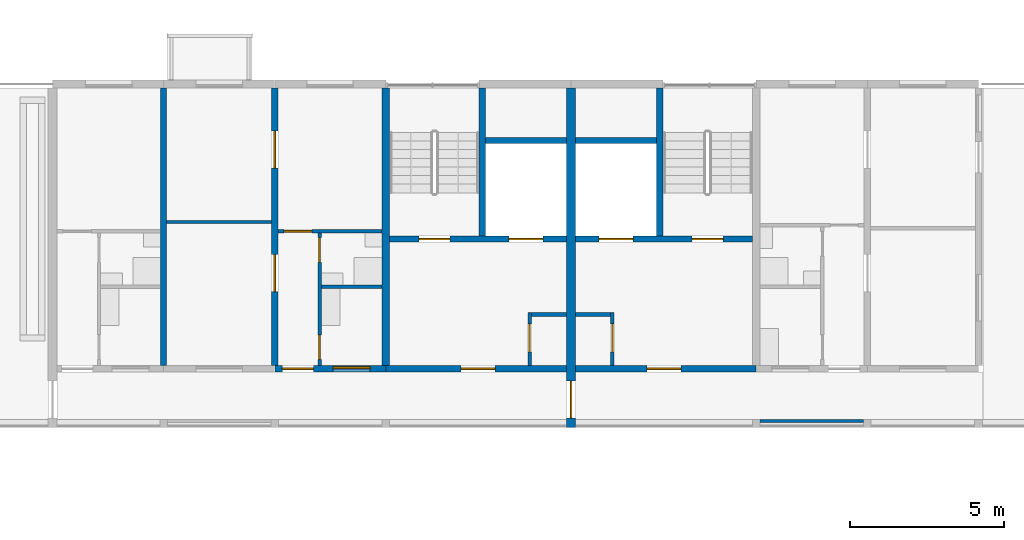
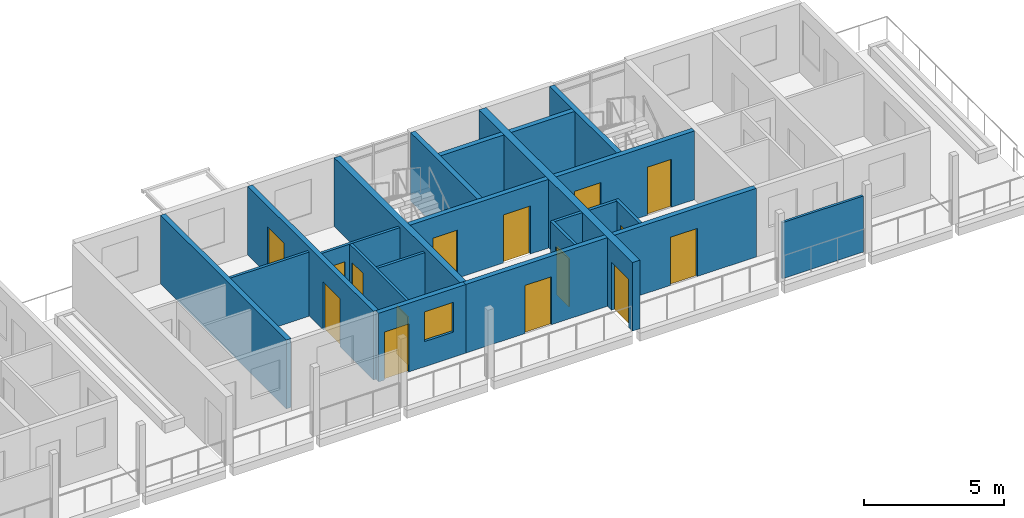
# One storey, part 55 of 94: 22 walls, 15 doors, 1 window, 16 openings.
"""IFC4 building model written with IfcOpenShell, lengths in metres."""

from ifc_helpers import new_model, si_unit, direction, frame, frame_2d, origin, place, context, subcontext, project, spatial, rectangle, extrude, material, layer, layer_set, type_object, element, fill, save


model = new_model("IFC4")

# Units and contexts
model_context = context("Model", 3, precision=1e-05, world=origin(), true_north=direction((0.0, 1.0)))
body_context = subcontext(model_context, "Body", "Model", "MODEL_VIEW")
ifc_project = project(units=[si_unit("LENGTHUNIT", "METRE"), si_unit("AREAUNIT", "SQUARE_METRE"), si_unit("VOLUMEUNIT", "CUBIC_METRE"), si_unit("PLANEANGLEUNIT", "RADIAN"), si_unit("MASSUNIT", "GRAM", prefix="KILO")], contexts=[model_context])

# Site, building, storey
site_placement = place(None, origin())
site = spatial("IfcSite", under=ifc_project, at=site_placement, CompositionType="ELEMENT")
building_placement = place(site_placement, origin())
building = spatial("IfcBuilding", under=site, at=building_placement, Name="Ridgestep Commons", CompositionType="ELEMENT")
storey_placement = place(building_placement, frame((0.0, 0.0, 21.0)))
storey = spatial("IfcBuildingStorey", under=building, at=storey_placement, Name="L07", CompositionType="ELEMENT", Elevation=21.0)

# Wall
ifc_material_1 = material(Name="Concrete C30/37", Category="concrete")
ifc_layer_1 = layer(ifc_material_1, 0.25)
ifc_layer_set_1 = layer_set([ifc_layer_1], Name="Core cross wall 250")
wall_type_1 = type_object("IfcWallType", Name="Core cross wall 250", PredefinedType="SHEAR", material=ifc_layer_set_1)
wall_1_placement = place(storey_placement, frame((224.800048828125, 68.0, 0.0), z_axis=(0.0, 0.0, 1.0), x_axis=(0.0, 1.0, 0.0)))
element("IfcWall", 1, at=wall_1_placement, inside=storey, type_object=wall_type_1, Name="Cross wall C-07-2248", PredefinedType="SHEAR", context=body_context, shape_type="SweptSolid", body=[
    extrude(rectangle(XDim=9.0, YDim=0.25, at=frame_2d((4.5, 0.0))), origin(), (0.0, 0.0, 1.0), 3.0),
])

# Wall, opening, door
ifc_material_2 = material(Name="Concrete C30/37", Category="concrete")
ifc_layer_2 = layer(ifc_material_2, 0.199951171875)
ifc_layer_set_2 = layer_set([ifc_layer_2], Name="Core south wall 200")
wall_type_2 = type_object("IfcWallType", Name="Core south wall 200", PredefinedType="SHEAR", material=ifc_layer_set_2)
wall_2_placement = place(storey_placement, frame((224.800048828125, 67.89990234375, 0.0), z_axis=(0.0, 0.0, 1.0), x_axis=(1.0, 0.0, 0.0)))
wall_2 = element("IfcWall", 2, at=wall_2_placement, inside=storey, type_object=wall_type_2, Name="Core south wall C5C L07", PredefinedType="SHEAR", context=body_context, shape_type="SweptSolid", body=[
    extrude(rectangle(XDim=5.849853515625, YDim=0.199951171875, at=frame_2d((2.9248046875, 0.0))), origin(), (0.0, 0.0, 1.0), 3.0),
])
opening_1_placement = place(wall_2_placement, frame((2.4375, 0.0, 0.0)))
opening_1 = element("IfcOpeningElement", 3, at=opening_1_placement, cuts=wall_2, Name="Opening C5C/07/1", PredefinedType="OPENING", context=body_context, shape_type="SweptSolid", body=[
    extrude(rectangle(XDim=1.10009765625, YDim=2.10009765625, at=frame_2d((0.550048828125, 1.050048828125))), frame((0.0, 0.10986328125, 0.0), z_axis=(0.0, -1.0, 0.0), x_axis=(1.0, 0.0, 0.0)), (0.0, 0.0, 1.0), 0.219970703125),
])
ifc_material_3 = material(Name="Steel fire door", Category="steel")
door_type_1 = type_object("IfcDoorType", Name="Lobby door 1100 x 2100 FD60", OperationType="NOTDEFINED", PredefinedType="DOOR", material=ifc_material_3)
door_1_placement = place(opening_1_placement, origin())
door_1 = element("IfcDoor", 4, at=door_1_placement, inside=storey, type_object=door_type_1, Name="Lobby door C5C/07/1", OperationType="SINGLE_SWING_LEFT", OverallHeight=2.10009765625, OverallWidth=1.10009765625, PredefinedType="DOOR", context=body_context, shape_type="SweptSolid", body=[
    extrude(rectangle(XDim=1.10009765625, YDim=2.10009765625, at=frame_2d((0.550048828125, 1.050048828125))), frame((0.0, 0.02490234375, 0.0), z_axis=(0.0, -1.0, 0.0), x_axis=(1.0, 0.0, 0.0)), (0.0, 0.0, 1.0), 0.050048828125),
])
fill(opening_1, door_1)

wall_3_placement = place(storey_placement, frame((230.949951171875, 67.89990234375, 0.0), z_axis=(0.0, 0.0, 1.0), x_axis=(1.0, 0.0, 0.0)))
wall_3 = element("IfcWall", 5, at=wall_3_placement, inside=storey, type_object=wall_type_2, Name="Core south wall C6C L07", PredefinedType="SHEAR", context=body_context, shape_type="SweptSolid", body=[
    extrude(rectangle(XDim=5.85009765625, YDim=0.199951171875, at=frame_2d((2.925048828125, 0.0))), origin(), (0.0, 0.0, 1.0), 3.0),
])
opening_2_placement = place(wall_3_placement, frame((2.3125, 0.0, 0.0)))
opening_2 = element("IfcOpeningElement", 6, at=opening_2_placement, cuts=wall_3, Name="Opening C6C/07/1", PredefinedType="OPENING", context=body_context, shape_type="SweptSolid", body=[
    extrude(rectangle(XDim=1.10009765625, YDim=2.10009765625, at=frame_2d((0.550048828125, 1.050048828125))), frame((0.0, 0.10986328125, 0.0), z_axis=(0.0, -1.0, 0.0), x_axis=(1.0, 0.0, 0.0)), (0.0, 0.0, 1.0), 0.219970703125),
])
door_2_placement = place(opening_2_placement, origin())
door_2 = element("IfcDoor", 7, at=door_2_placement, inside=storey, type_object=door_type_1, Name="Lobby door C6C/07/1", OperationType="SINGLE_SWING_LEFT", OverallHeight=2.10009765625, OverallWidth=1.10009765625, PredefinedType="DOOR", context=body_context, shape_type="SweptSolid", body=[
    extrude(rectangle(XDim=1.10009765625, YDim=2.10009765625, at=frame_2d((0.550048828125, 1.050048828125))), frame((0.0, 0.02490234375, 0.0), z_axis=(0.0, -1.0, 0.0), x_axis=(1.0, 0.0, 0.0)), (0.0, 0.0, 1.0), 0.050048828125),
])
fill(opening_2, door_2)

ifc_material_4 = material(Name="Concrete C30/37", Category="concrete")
ifc_layer_3 = layer(ifc_material_4, 0.1201171875)
ifc_layer_set_3 = layer_set([ifc_layer_3], Name="Core wall 120")
wall_type_3 = type_object("IfcWallType", Name="Core wall 120", PredefinedType="SHEAR", material=ifc_layer_set_3)
wall_4_placement = place(storey_placement, frame((229.4599609375, 68.0, 0.0), z_axis=(0.0, 0.0, 1.0), x_axis=(0.0, 1.0, 0.0)))
wall_4 = element("IfcWall", 8, at=wall_4_placement, inside=storey, type_object=wall_type_3, Name="Core riser w wall C5C L07", PredefinedType="SHEAR", context=body_context, shape_type="SweptSolid", body=[
    extrude(rectangle(XDim=1.719970703125, YDim=0.1201171875, at=frame_2d((0.85986328125, 0.0))), origin(), (0.0, 0.0, 1.0), 3.0),
])
opening_3_placement = place(wall_4_placement, frame((0.449951171875, 0.0, 0.0)))
opening_3 = element("IfcOpeningElement", 9, at=opening_3_placement, cuts=wall_4, Name="Opening C5C/07/4", PredefinedType="OPENING", context=body_context, shape_type="SweptSolid", body=[
    extrude(rectangle(XDim=0.89990234375, YDim=2.10009765625, at=frame_2d((0.449951171875, 1.050048828125))), frame((0.0, 0.070068359375, 0.0), z_axis=(0.0, -1.0, 0.0), x_axis=(1.0, 0.0, 0.0)), (0.0, 0.0, 1.0), 0.14013671875),
])
ifc_material_5 = material(Name="Steel fire door", Category="steel")
door_type_2 = type_object("IfcDoorType", Name="Riser door 900 x 2100 FD60", OperationType="NOTDEFINED", PredefinedType="DOOR", material=ifc_material_5)
door_3_placement = place(opening_3_placement, origin())
door_3 = element("IfcDoor", 10, at=door_3_placement, inside=storey, type_object=door_type_2, Name="Riser door C5C/07/4", OperationType="SINGLE_SWING_LEFT", OverallHeight=2.10009765625, OverallWidth=0.89990234375, PredefinedType="DOOR", context=body_context, shape_type="SweptSolid", body=[
    extrude(rectangle(XDim=0.89990234375, YDim=2.10009765625, at=frame_2d((0.449951171875, 1.050048828125))), frame((0.0, 0.02490234375, 0.0), z_axis=(0.0, -1.0, 0.0), x_axis=(1.0, 0.0, 0.0)), (0.0, 0.0, 1.0), 0.050048828125),
])
fill(opening_3, door_3)

# Wall
wall_5_placement = place(storey_placement, frame((229.52001953125, 69.659912109375, 0.0), z_axis=(0.0, 0.0, 1.0), x_axis=(1.0, 0.0, 0.0)))
element("IfcWall", 11, at=wall_5_placement, inside=storey, type_object=wall_type_3, Name="Core riser n wall C5C L07", PredefinedType="SHEAR", context=body_context, shape_type="SweptSolid", body=[
    extrude(rectangle(XDim=1.1298828125, YDim=0.1201171875, at=frame_2d((0.56494140625, 0.0))), origin(), (0.0, 0.0, 1.0), 3.0),
])

# Wall, opening, door
wall_6_placement = place(storey_placement, frame((232.139892578125, 68.0, 0.0), z_axis=(0.0, 0.0, 1.0), x_axis=(0.0, 1.0, 0.0)))
wall_6 = element("IfcWall", 12, at=wall_6_placement, inside=storey, type_object=wall_type_3, Name="Core riser w wall C6C L07", PredefinedType="SHEAR", context=body_context, shape_type="SweptSolid", body=[
    extrude(rectangle(XDim=1.719970703125, YDim=0.1201171875, at=frame_2d((0.85986328125, 0.0))), origin(), (0.0, 0.0, 1.0), 3.0),
])
opening_4_placement = place(wall_6_placement, frame((0.449951171875, 0.0, 0.0)))
opening_4 = element("IfcOpeningElement", 13, at=opening_4_placement, cuts=wall_6, Name="Opening C6C/07/4", PredefinedType="OPENING", context=body_context, shape_type="SweptSolid", body=[
    extrude(rectangle(XDim=0.89990234375, YDim=2.10009765625, at=frame_2d((0.449951171875, 1.050048828125))), frame((0.0, 0.070068359375, 0.0), z_axis=(0.0, -1.0, 0.0), x_axis=(1.0, 0.0, 0.0)), (0.0, 0.0, 1.0), 0.14013671875),
])
door_4_placement = place(opening_4_placement, origin())
door_4 = element("IfcDoor", 14, at=door_4_placement, inside=storey, type_object=door_type_2, Name="Riser door C6C/07/4", OperationType="SINGLE_SWING_RIGHT", OverallHeight=2.10009765625, OverallWidth=0.89990234375, PredefinedType="DOOR", context=body_context, shape_type="SweptSolid", body=[
    extrude(rectangle(XDim=0.89990234375, YDim=2.10009765625, at=frame_2d((0.449951171875, 1.050048828125))), frame((0.0, 0.02490234375, 0.0), z_axis=(0.0, -1.0, 0.0), x_axis=(1.0, 0.0, 0.0)), (0.0, 0.0, 1.0), 0.050048828125),
])
fill(opening_4, door_4)

# Wall
wall_7_placement = place(storey_placement, frame((230.949951171875, 69.659912109375, 0.0), z_axis=(0.0, 0.0, 1.0), x_axis=(1.0, 0.0, 0.0)))
element("IfcWall", 15, at=wall_7_placement, inside=storey, type_object=wall_type_3, Name="Core riser n wall C6C L07", PredefinedType="SHEAR", context=body_context, shape_type="SweptSolid", body=[
    extrude(rectangle(XDim=1.130126953125, YDim=0.1201171875, at=frame_2d((0.56494140625, 0.0))), origin(), (0.0, 0.0, 1.0), 3.0),
])

# Wall, openings, doors
ifc_material_6 = material(Name="Concrete C30/37", Category="concrete")
ifc_layer_4 = layer(ifc_material_6, 0.199951171875)
ifc_layer_set_4 = layer_set([ifc_layer_4], Name="Core wall 200")
wall_type_4 = type_object("IfcWallType", Name="Core wall 200", PredefinedType="SHEAR", material=ifc_layer_set_4)
wall_8_placement = place(storey_placement, frame((224.925048828125, 72.10009765625, 0.0), z_axis=(0.0, 0.0, 1.0), x_axis=(1.0, 0.0, 0.0)))
wall_8 = element("IfcWall", 16, at=wall_8_placement, inside=storey, type_object=wall_type_4, Name="Core lobby wall C5C L07", PredefinedType="SHEAR", context=body_context, shape_type="SweptSolid", body=[
    extrude(rectangle(XDim=5.724853515625, YDim=0.199951171875, at=frame_2d((2.8623046875, 0.0))), origin(), (0.0, 0.0, 1.0), 3.0),
])
opening_5_placement = place(wall_8_placement, frame((0.949951171875, 0.0, 0.0)))
opening_5 = element("IfcOpeningElement", 17, at=opening_5_placement, cuts=wall_8, Name="Opening C5C/07/2", PredefinedType="OPENING", context=body_context, shape_type="SweptSolid", body=[
    extrude(rectangle(XDim=1.0, YDim=2.10009765625, at=frame_2d((0.5, 1.050048828125))), frame((0.0, 0.10986328125, 0.0), z_axis=(0.0, -1.0, 0.0), x_axis=(1.0, 0.0, 0.0)), (0.0, 0.0, 1.0), 0.219970703125),
])
opening_6_placement = place(wall_8_placement, frame((3.862548828125, 0.0, 0.0)))
opening_6 = element("IfcOpeningElement", 18, at=opening_6_placement, cuts=wall_8, Name="Opening C5C/07/3", PredefinedType="OPENING", context=body_context, shape_type="SweptSolid", body=[
    extrude(rectangle(XDim=1.10009765625, YDim=2.10009765625, at=frame_2d((0.550048828125, 1.050048828125))), frame((0.0, 0.10986328125, 0.0), z_axis=(0.0, -1.0, 0.0), x_axis=(1.0, 0.0, 0.0)), (0.0, 0.0, 1.0), 0.219970703125),
])
ifc_material_7 = material(Name="Stainless steel", Category="steel")
door_type_3 = type_object("IfcDoorType", Name="Lift landing door 1100 x 2100 FD60", OperationType="DOUBLE_DOOR_SLIDING", PredefinedType="DOOR", material=ifc_material_7)
door_5_placement = place(opening_6_placement, origin())
door_5 = element("IfcDoor", 19, at=door_5_placement, inside=storey, type_object=door_type_3, Name="Landing door LD C5C L07", OperationType="DOUBLE_DOOR_SLIDING", OverallHeight=2.10009765625, OverallWidth=1.10009765625, PredefinedType="DOOR", context=body_context, shape_type="SweptSolid", body=[
    extrude(rectangle(XDim=1.10009765625, YDim=2.10009765625, at=frame_2d((0.550048828125, 1.050048828125))), frame((0.0, 0.02490234375, 0.0), z_axis=(0.0, -1.0, 0.0), x_axis=(1.0, 0.0, 0.0)), (0.0, 0.0, 1.0), 0.050048828125),
])
fill(opening_6, door_5)
ifc_material_8 = material(Name="Steel fire door", Category="steel")
door_type_4 = type_object("IfcDoorType", Name="Stair door 1000 x 2100 FD60", OperationType="NOTDEFINED", PredefinedType="DOOR", material=ifc_material_8)
door_6_placement = place(opening_5_placement, origin())
door_6 = element("IfcDoor", 20, at=door_6_placement, inside=storey, type_object=door_type_4, Name="Stair door C5C/07/2", OperationType="SINGLE_SWING_RIGHT", OverallHeight=2.10009765625, OverallWidth=1.0, PredefinedType="DOOR", context=body_context, shape_type="SweptSolid", body=[
    extrude(rectangle(XDim=1.0, YDim=2.10009765625, at=frame_2d((0.5, 1.050048828125))), frame((0.0, 0.02490234375, 0.0), z_axis=(0.0, -1.0, 0.0), x_axis=(1.0, 0.0, 0.0)), (0.0, 0.0, 1.0), 0.050048828125),
])
fill(opening_5, door_6)

# Walls
wall_9_placement = place(storey_placement, frame((227.925048828125, 72.199951171875, 0.0), z_axis=(0.0, 0.0, 1.0), x_axis=(0.0, 1.0, 0.0)))
element("IfcWall", 21, at=wall_9_placement, inside=storey, type_object=wall_type_4, Name="Core stair wall C5C L07", PredefinedType="SHEAR", context=body_context, shape_type="SweptSolid", body=[
    extrude(rectangle(XDim=4.800048828125, YDim=0.199951171875, at=frame_2d((2.39990234375, 0.0))), origin(), (0.0, 0.0, 1.0), 3.0),
])
wall_10_placement = place(storey_placement, frame((228.02490234375, 75.300048828125, 0.0), z_axis=(0.0, 0.0, 1.0), x_axis=(1.0, 0.0, 0.0)))
element("IfcWall", 22, at=wall_10_placement, inside=storey, type_object=wall_type_4, Name="Core duct wall C5C L07", PredefinedType="SHEAR", context=body_context, shape_type="SweptSolid", body=[
    extrude(rectangle(XDim=2.625, YDim=0.199951171875, at=frame_2d((1.3125, 0.0))), origin(), (0.0, 0.0, 1.0), 3.0),
])

# Wall, openings, doors
wall_11_placement = place(storey_placement, frame((230.949951171875, 72.10009765625, 0.0), z_axis=(0.0, 0.0, 1.0), x_axis=(1.0, 0.0, 0.0)))
wall_11 = element("IfcWall", 23, at=wall_11_placement, inside=storey, type_object=wall_type_4, Name="Core lobby wall C6C L07", PredefinedType="SHEAR", context=body_context, shape_type="SweptSolid", body=[
    extrude(rectangle(XDim=5.72509765625, YDim=0.199951171875, at=frame_2d((2.862548828125, 0.0))), origin(), (0.0, 0.0, 1.0), 3.0),
])
opening_7_placement = place(wall_11_placement, frame((3.77490234375, 0.0, 0.0)))
opening_7 = element("IfcOpeningElement", 24, at=opening_7_placement, cuts=wall_11, Name="Opening C6C/07/2", PredefinedType="OPENING", context=body_context, shape_type="SweptSolid", body=[
    extrude(rectangle(XDim=1.0, YDim=2.10009765625, at=frame_2d((0.5, 1.050048828125))), frame((0.0, 0.10986328125, 0.0), z_axis=(0.0, -1.0, 0.0), x_axis=(1.0, 0.0, 0.0)), (0.0, 0.0, 1.0), 0.219970703125),
])
opening_8_placement = place(wall_11_placement, frame((0.762451171875, 0.0, 0.0)))
opening_8 = element("IfcOpeningElement", 25, at=opening_8_placement, cuts=wall_11, Name="Opening C6C/07/3", PredefinedType="OPENING", context=body_context, shape_type="SweptSolid", body=[
    extrude(rectangle(XDim=1.10009765625, YDim=2.10009765625, at=frame_2d((0.550048828125, 1.050048828125))), frame((0.0, 0.10986328125, 0.0), z_axis=(0.0, -1.0, 0.0), x_axis=(1.0, 0.0, 0.0)), (0.0, 0.0, 1.0), 0.219970703125),
])
door_7_placement = place(opening_8_placement, origin())
door_7 = element("IfcDoor", 26, at=door_7_placement, inside=storey, type_object=door_type_3, Name="Landing door LD C6C L07", OperationType="DOUBLE_DOOR_SLIDING", OverallHeight=2.10009765625, OverallWidth=1.10009765625, PredefinedType="DOOR", context=body_context, shape_type="SweptSolid", body=[
    extrude(rectangle(XDim=1.10009765625, YDim=2.10009765625, at=frame_2d((0.550048828125, 1.050048828125))), frame((0.0, 0.02490234375, 0.0), z_axis=(0.0, -1.0, 0.0), x_axis=(1.0, 0.0, 0.0)), (0.0, 0.0, 1.0), 0.050048828125),
])
fill(opening_8, door_7)
door_8_placement = place(opening_7_placement, origin())
door_8 = element("IfcDoor", 27, at=door_8_placement, inside=storey, type_object=door_type_4, Name="Stair door C6C/07/2", OperationType="SINGLE_SWING_RIGHT", OverallHeight=2.10009765625, OverallWidth=1.0, PredefinedType="DOOR", context=body_context, shape_type="SweptSolid", body=[
    extrude(rectangle(XDim=1.0, YDim=2.10009765625, at=frame_2d((0.5, 1.050048828125))), frame((0.0, 0.02490234375, 0.0), z_axis=(0.0, -1.0, 0.0), x_axis=(1.0, 0.0, 0.0)), (0.0, 0.0, 1.0), 0.050048828125),
])
fill(opening_7, door_8)

# Walls
wall_12_placement = place(storey_placement, frame((233.675048828125, 72.199951171875, 0.0), z_axis=(0.0, 0.0, 1.0), x_axis=(0.0, 1.0, 0.0)))
element("IfcWall", 28, at=wall_12_placement, inside=storey, type_object=wall_type_4, Name="Core stair wall C6C L07", PredefinedType="SHEAR", context=body_context, shape_type="SweptSolid", body=[
    extrude(rectangle(XDim=4.800048828125, YDim=0.199951171875, at=frame_2d((2.39990234375, 0.0))), origin(), (0.0, 0.0, 1.0), 3.0),
])
wall_13_placement = place(storey_placement, frame((230.949951171875, 75.300048828125, 0.0), z_axis=(0.0, 0.0, 1.0), x_axis=(1.0, 0.0, 0.0)))
element("IfcWall", 29, at=wall_13_placement, inside=storey, type_object=wall_type_4, Name="Core duct wall C6C L07", PredefinedType="SHEAR", context=body_context, shape_type="SweptSolid", body=[
    extrude(rectangle(XDim=2.625, YDim=0.199951171875, at=frame_2d((1.3125, 0.0))), origin(), (0.0, 0.0, 1.0), 3.0),
])
ifc_material_9 = material(Name="Precast concrete C40/50", Category="concrete")
ifc_layer_5 = layer(ifc_material_9, 0.199951171875)
ifc_layer_set_5 = layer_set([ifc_layer_5], Name="Cross wall 200")
wall_type_5 = type_object("IfcWallType", Name="Cross wall 200", PredefinedType="SHEAR", material=ifc_layer_set_5)
wall_14_placement = place(storey_placement, frame((217.60009765625, 68.0, 0.0), z_axis=(0.0, 0.0, 1.0), x_axis=(0.0, 1.0, 0.0)))
element("IfcWall", 30, at=wall_14_placement, inside=storey, type_object=wall_type_5, Name="Cross wall C-07-2176", PredefinedType="SHEAR", context=body_context, shape_type="SweptSolid", body=[
    extrude(rectangle(XDim=9.0, YDim=0.199951171875, at=frame_2d((4.5, 0.0))), origin(), (0.0, 0.0, 1.0), 3.0),
])

# Wall, openings, doors
wall_15_placement = place(storey_placement, frame((221.199951171875, 68.0, 0.0), z_axis=(0.0, 0.0, 1.0), x_axis=(0.0, 1.0, 0.0)))
wall_15 = element("IfcWall", 31, at=wall_15_placement, inside=storey, type_object=wall_type_5, Name="Cross wall C-07-2212", PredefinedType="SHEAR", context=body_context, shape_type="SweptSolid", body=[
    extrude(rectangle(XDim=9.0, YDim=0.199951171875, at=frame_2d((4.5, 0.0))), origin(), (0.0, 0.0, 1.0), 3.0),
])
opening_9_placement = place(wall_15_placement, frame((2.39990234375, 0.0, 0.0)))
opening_9 = element("IfcOpeningElement", 32, at=opening_9_placement, cuts=wall_15, Name="Opening C5-07b/5", PredefinedType="OPENING", context=body_context, shape_type="SweptSolid", body=[
    extrude(rectangle(XDim=1.199951171875, YDim=2.10009765625, at=frame_2d((0.60009765625, 1.050048828125))), frame((0.0, 0.10986328125, 0.0), z_axis=(0.0, -1.0, 0.0), x_axis=(1.0, 0.0, 0.0)), (0.0, 0.0, 1.0), 0.219970703125),
])
opening_10_placement = place(wall_15_placement, frame((6.39990234375, 0.0, 0.0)))
opening_10 = element("IfcOpeningElement", 33, at=opening_10_placement, cuts=wall_15, Name="Opening C5-07b/6", PredefinedType="OPENING", context=body_context, shape_type="SweptSolid", body=[
    extrude(rectangle(XDim=1.199951171875, YDim=2.10009765625, at=frame_2d((0.60009765625, 1.050048828125))), frame((0.0, 0.10986328125, 0.0), z_axis=(0.0, -1.0, 0.0), x_axis=(1.0, 0.0, 0.0)), (0.0, 0.0, 1.0), 0.219970703125),
])
ifc_material_10 = material(Name="Timber door leaf", Category="wood")
door_type_5 = type_object("IfcDoorType", Name="Double door 1200 x 2100", OperationType="DOUBLE_DOOR_SINGLE_SWING", PredefinedType="DOOR", material=ifc_material_10)
door_9_placement = place(opening_9_placement, origin())
door_9 = element("IfcDoor", 34, at=door_9_placement, inside=storey, type_object=door_type_5, Name="Double door C5-07b/5", OperationType="DOUBLE_DOOR_SINGLE_SWING", OverallHeight=2.10009765625, OverallWidth=1.199951171875, PredefinedType="DOOR", context=body_context, shape_type="SweptSolid", body=[
    extrude(rectangle(XDim=1.199951171875, YDim=2.10009765625, at=frame_2d((0.60009765625, 1.050048828125))), frame((0.0, 0.02490234375, 0.0), z_axis=(0.0, -1.0, 0.0), x_axis=(1.0, 0.0, 0.0)), (0.0, 0.0, 1.0), 0.050048828125),
])
fill(opening_9, door_9)
door_10_placement = place(opening_10_placement, origin())
door_10 = element("IfcDoor", 35, at=door_10_placement, inside=storey, type_object=door_type_5, Name="Double door C5-07b/6", OperationType="DOUBLE_DOOR_SINGLE_SWING", OverallHeight=2.10009765625, OverallWidth=1.199951171875, PredefinedType="DOOR", context=body_context, shape_type="SweptSolid", body=[
    extrude(rectangle(XDim=1.199951171875, YDim=2.10009765625, at=frame_2d((0.60009765625, 1.050048828125))), frame((0.0, 0.02490234375, 0.0), z_axis=(0.0, -1.0, 0.0), x_axis=(1.0, 0.0, 0.0)), (0.0, 0.0, 1.0), 0.050048828125),
])
fill(opening_10, door_10)

# Wall, opening, door
ifc_material_11 = material(Name="Precast concrete C40/50", Category="concrete")
ifc_layer_6 = layer(ifc_material_11, 0.300048828125)
ifc_layer_set_6 = layer_set([ifc_layer_6], Name="Division wall 300")
wall_type_6 = type_object("IfcWallType", Name="Division wall 300", PredefinedType="SHEAR", material=ifc_layer_set_6)
wall_16_placement = place(storey_placement, frame((230.800048828125, 66.0, 0.0), z_axis=(0.0, 0.0, 1.0), x_axis=(0.0, 1.0, 0.0)))
wall_16 = element("IfcWall", 36, at=wall_16_placement, inside=storey, type_object=wall_type_6, Name="Cross wall C-07-2308", PredefinedType="SHEAR", context=body_context, shape_type="SweptSolid", body=[
    extrude(rectangle(XDim=11.0, YDim=0.300048828125, at=frame_2d((5.5, 0.0))), origin(), (0.0, 0.0, 1.0), 3.0),
])
opening_11_placement = place(wall_16_placement, frame((0.300048828125, 0.0, 0.0)))
opening_11 = element("IfcOpeningElement", 37, at=opening_11_placement, cuts=wall_16, Name="Opening C/07/G2308", PredefinedType="OPENING", context=body_context, shape_type="SweptSolid", body=[
    extrude(rectangle(XDim=1.199951171875, YDim=2.10009765625, at=frame_2d((0.60009765625, 1.050048828125))), frame((0.0, 0.159912109375, 0.0), z_axis=(0.0, -1.0, 0.0), x_axis=(1.0, 0.0, 0.0)), (0.0, 0.0, 1.0), 0.320068359375),
])
ifc_material_12 = material(Name="Steel fire door", Category="steel")
door_type_6 = type_object("IfcDoorType", Name="Division fire door 1200 x 2100 EI 240", OperationType="DOUBLE_DOOR_SINGLE_SWING", PredefinedType="DOOR", material=ifc_material_12)
door_11_placement = place(opening_11_placement, origin())
door_11 = element("IfcDoor", 38, at=door_11_placement, inside=storey, type_object=door_type_6, Name="Division fire door C/07/G2308", OperationType="DOUBLE_DOOR_SINGLE_SWING", OverallHeight=2.10009765625, OverallWidth=1.199951171875, PredefinedType="DOOR", context=body_context, shape_type="SweptSolid", body=[
    extrude(rectangle(XDim=1.199951171875, YDim=2.10009765625, at=frame_2d((0.60009765625, 1.050048828125))), frame((0.0, 0.02490234375, 0.0), z_axis=(0.0, -1.0, 0.0), x_axis=(1.0, 0.0, 0.0)), (0.0, 0.0, 1.0), 0.050048828125),
])
fill(opening_11, door_11)

# Wall, openings, doors
ifc_material_13 = material(Name="Common brick 110 mm", Category="masonry")
ifc_layer_7 = layer(ifc_material_13, 0.110107421875)
ifc_layer_set_7 = layer_set([ifc_layer_7], Name="Partition 110")
wall_type_7 = type_object("IfcWallType", Name="Partition 110", PredefinedType="PARTITIONING", material=ifc_layer_set_7)
wall_17_placement = place(storey_placement, frame((222.655029296875, 68.0, 0.0), z_axis=(0.0, 0.0, 1.0), x_axis=(0.0, 1.0, 0.0)))
wall_17 = element("IfcWall", 39, at=wall_17_placement, inside=storey, type_object=wall_type_7, Name="Partition C5-07b", PredefinedType="PARTITIONING", context=body_context, shape_type="SweptSolid", body=[
    extrude(rectangle(XDim=4.300048828125, YDim=0.110107421875, at=frame_2d((2.14990234375, 0.0))), origin(), (0.0, 0.0, 1.0), 2.800048828125),
])
opening_12_placement = place(wall_17_placement, frame((0.199951171875, 0.0, 0.0)))
opening_12 = element("IfcOpeningElement", 40, at=opening_12_placement, cuts=wall_17, Name="Opening C5-07b/2", PredefinedType="OPENING", context=body_context, shape_type="SweptSolid", body=[
    extrude(rectangle(XDim=0.800048828125, YDim=2.10009765625, at=frame_2d((0.39990234375, 1.050048828125))), frame((0.0, 0.06494140625, 0.0), z_axis=(0.0, -1.0, 0.0), x_axis=(1.0, 0.0, 0.0)), (0.0, 0.0, 1.0), 0.130126953125),
])
opening_13_placement = place(wall_17_placement, frame((3.35009765625, 0.0, 0.0)))
opening_13 = element("IfcOpeningElement", 41, at=opening_13_placement, cuts=wall_17, Name="Opening C5-07b/3", PredefinedType="OPENING", context=body_context, shape_type="SweptSolid", body=[
    extrude(rectangle(XDim=0.800048828125, YDim=2.10009765625, at=frame_2d((0.39990234375, 1.050048828125))), frame((0.0, 0.06494140625, 0.0), z_axis=(0.0, -1.0, 0.0), x_axis=(1.0, 0.0, 0.0)), (0.0, 0.0, 1.0), 0.130126953125),
])
ifc_material_14 = material(Name="Timber door leaf", Category="wood")
door_type_7 = type_object("IfcDoorType", Name="Internal door 800 x 2100", OperationType="NOTDEFINED", PredefinedType="DOOR", material=ifc_material_14)
door_12_placement = place(opening_12_placement, origin())
door_12 = element("IfcDoor", 42, at=door_12_placement, inside=storey, type_object=door_type_7, Name="Internal door C5-07b/2", OperationType="SINGLE_SWING_RIGHT", OverallHeight=2.10009765625, OverallWidth=0.800048828125, PredefinedType="DOOR", context=body_context, shape_type="SweptSolid", body=[
    extrude(rectangle(XDim=0.800048828125, YDim=2.10009765625, at=frame_2d((0.39990234375, 1.050048828125))), frame((0.0, 0.02490234375, 0.0), z_axis=(0.0, -1.0, 0.0), x_axis=(1.0, 0.0, 0.0)), (0.0, 0.0, 1.0), 0.050048828125),
])
fill(opening_12, door_12)
door_13_placement = place(opening_13_placement, origin())
door_13 = element("IfcDoor", 43, at=door_13_placement, inside=storey, type_object=door_type_7, Name="Internal door C5-07b/3", OperationType="SINGLE_SWING_LEFT", OverallHeight=2.10009765625, OverallWidth=0.800048828125, PredefinedType="DOOR", context=body_context, shape_type="SweptSolid", body=[
    extrude(rectangle(XDim=0.800048828125, YDim=2.10009765625, at=frame_2d((0.39990234375, 1.050048828125))), frame((0.0, 0.02490234375, 0.0), z_axis=(0.0, -1.0, 0.0), x_axis=(1.0, 0.0, 0.0)), (0.0, 0.0, 1.0), 0.050048828125),
])
fill(opening_13, door_13)

# Wall
wall_18_placement = place(storey_placement, frame((222.7099609375, 70.554931640625, 0.0), z_axis=(0.0, 0.0, 1.0), x_axis=(1.0, 0.0, 0.0)))
element("IfcWall", 44, at=wall_18_placement, inside=storey, type_object=wall_type_7, Name="Partition C5-07b", PredefinedType="PARTITIONING", context=body_context, shape_type="SweptSolid", body=[
    extrude(rectangle(XDim=1.965087890625, YDim=0.110107421875, at=frame_2d((0.982421875, 0.0))), origin(), (0.0, 0.0, 1.0), 2.800048828125),
])

# Wall, opening, door
wall_19_placement = place(storey_placement, frame((221.300048828125, 72.35498046875, 0.0), z_axis=(0.0, 0.0, 1.0), x_axis=(1.0, 0.0, 0.0)))
wall_19 = element("IfcWall", 45, at=wall_19_placement, inside=storey, type_object=wall_type_7, Name="Partition C5-07b", PredefinedType="PARTITIONING", context=body_context, shape_type="SweptSolid", body=[
    extrude(rectangle(XDim=3.375, YDim=0.110107421875, at=frame_2d((1.6875, 0.0))), origin(), (0.0, 0.0, 1.0), 2.800048828125),
])
opening_14_placement = place(wall_19_placement, frame((0.199951171875, 0.0, 0.0)))
opening_14 = element("IfcOpeningElement", 46, at=opening_14_placement, cuts=wall_19, Name="Opening C5-07b/4", PredefinedType="OPENING", context=body_context, shape_type="SweptSolid", body=[
    extrude(rectangle(XDim=0.89990234375, YDim=2.10009765625, at=frame_2d((0.449951171875, 1.050048828125))), frame((0.0, 0.06494140625, 0.0), z_axis=(0.0, -1.0, 0.0), x_axis=(1.0, 0.0, 0.0)), (0.0, 0.0, 1.0), 0.130126953125),
])
ifc_material_15 = material(Name="Timber door leaf", Category="wood")
door_type_8 = type_object("IfcDoorType", Name="Internal door 900 x 2100", OperationType="NOTDEFINED", PredefinedType="DOOR", material=ifc_material_15)
door_14_placement = place(opening_14_placement, origin())
door_14 = element("IfcDoor", 47, at=door_14_placement, inside=storey, type_object=door_type_8, Name="Internal door C5-07b/4", OperationType="SINGLE_SWING_LEFT", OverallHeight=2.10009765625, OverallWidth=0.89990234375, PredefinedType="DOOR", context=body_context, shape_type="SweptSolid", body=[
    extrude(rectangle(XDim=0.89990234375, YDim=2.10009765625, at=frame_2d((0.449951171875, 1.050048828125))), frame((0.0, 0.02490234375, 0.0), z_axis=(0.0, -1.0, 0.0), x_axis=(1.0, 0.0, 0.0)), (0.0, 0.0, 1.0), 0.050048828125),
])
fill(opening_14, door_14)

# Walls
wall_20_placement = place(storey_placement, frame((217.699951171875, 72.655029296875, 0.0), z_axis=(0.0, 0.0, 1.0), x_axis=(1.0, 0.0, 0.0)))
element("IfcWall", 48, at=wall_20_placement, inside=storey, type_object=wall_type_7, Name="Partition C5-07b", PredefinedType="PARTITIONING", context=body_context, shape_type="SweptSolid", body=[
    extrude(rectangle(XDim=3.400146484375, YDim=0.110107421875, at=frame_2d((1.7001953125, 0.0))), origin(), (0.0, 0.0, 1.0), 2.800048828125),
])
ifc_material_16 = material(Name="Precast concrete C30/37", Category="concrete")
ifc_layer_8 = layer(ifc_material_16, 0.10009765625)
ifc_layer_set_8 = layer_set([ifc_layer_8], Name="Perforated gallery screen 3350 x 2450 x 100")
wall_type_8 = type_object("IfcWallType", Name="Perforated gallery screen 3350 x 2450 x 100", PredefinedType="SOLIDWALL", material=ifc_layer_set_8)
wall_21_placement = place(storey_placement, frame((236.925048828125, 66.199951171875, 0.0), z_axis=(0.0, 0.0, 1.0), x_axis=(1.0, 0.0, 0.0)))
element("IfcWall", 49, at=wall_21_placement, inside=storey, type_object=wall_type_8, Name="Gallery screen C6T3 07", PredefinedType="SOLIDWALL", context=body_context, shape_type="SweptSolid", body=[
    extrude(rectangle(XDim=3.349853515625, YDim=0.10009765625, at=frame_2d((1.6748046875, 0.0))), origin(), (0.0, 0.0, 1.0), 2.449951171875),
])

# Wall, openings, door, window
ifc_material_17 = material(Name="Precast concrete C40/50", Category="concrete")
ifc_layer_9 = layer(ifc_material_17, 0.199951171875)
ifc_layer_set_9 = layer_set([ifc_layer_9], Name="South facade panel 200")
wall_type_9 = type_object("IfcWallType", Name="South facade panel 200", PredefinedType="SOLIDWALL", material=ifc_layer_set_9)
wall_22_placement = place(storey_placement, frame((221.199951171875, 67.89990234375, 0.0), z_axis=(0.0, 0.0, 1.0), x_axis=(1.0, 0.0, 0.0)))
wall_22 = element("IfcWall", 50, at=wall_22_placement, inside=storey, type_object=wall_type_9, Name="South panel C5T3 L07", PredefinedType="SOLIDWALL", context=body_context, shape_type="SweptSolid", body=[
    extrude(rectangle(XDim=3.60009765625, YDim=0.199951171875, at=frame_2d((1.800048828125, 0.0))), origin(), (0.0, 0.0, 1.0), 3.0),
])
opening_15_placement = place(wall_22_placement, frame((1.892578125, 0.0, 1.10009765625)))
opening_15 = element("IfcOpeningElement", 51, at=opening_15_placement, cuts=wall_22, Name="Opening W08", PredefinedType="OPENING", context=body_context, shape_type="SweptSolid", body=[
    extrude(rectangle(XDim=1.199951171875, YDim=1.300048828125, at=frame_2d((0.60009765625, 0.64990234375))), frame((0.0, 0.10986328125, 0.0), z_axis=(0.0, -1.0, 0.0), x_axis=(1.0, 0.0, 0.0)), (0.0, 0.0, 1.0), 0.219970703125),
])
opening_16_placement = place(wall_22_placement, frame((0.25, 0.0, 0.0)))
opening_16 = element("IfcOpeningElement", 52, at=opening_16_placement, cuts=wall_22, Name="Opening C5-07b/1", PredefinedType="OPENING", context=body_context, shape_type="SweptSolid", body=[
    extrude(rectangle(XDim=1.0, YDim=2.10009765625, at=frame_2d((0.5, 1.050048828125))), frame((0.0, 0.10986328125, 0.0), z_axis=(0.0, -1.0, 0.0), x_axis=(1.0, 0.0, 0.0)), (0.0, 0.0, 1.0), 0.219970703125),
])
ifc_material_18 = material(Name="Timber door leaf", Category="wood")
door_type_9 = type_object("IfcDoorType", Name="Flat entrance door 1000 x 2100 FD30S", OperationType="NOTDEFINED", PredefinedType="DOOR", material=ifc_material_18)
door_15_placement = place(opening_16_placement, origin())
door_15 = element("IfcDoor", 53, at=door_15_placement, inside=storey, type_object=door_type_9, Name="Flat entrance door C5-07b/1", OperationType="SINGLE_SWING_LEFT", OverallHeight=2.10009765625, OverallWidth=1.0, PredefinedType="DOOR", context=body_context, shape_type="SweptSolid", body=[
    extrude(rectangle(XDim=1.0, YDim=2.10009765625, at=frame_2d((0.5, 1.050048828125))), frame((0.0, 0.02490234375, 0.0), z_axis=(0.0, -1.0, 0.0), x_axis=(1.0, 0.0, 0.0)), (0.0, 0.0, 1.0), 0.050048828125),
])
fill(opening_16, door_15)
ifc_material_19 = material(Name="Aluminium 6063-T6 and glass", Category="aluminium")
window_type = type_object("IfcWindowType", Name="Flat window 1200 x 1300", PartitioningType="SINGLE_PANEL", PredefinedType="WINDOW", material=ifc_material_19)
window_placement = place(opening_15_placement, origin())
window = element("IfcWindow", 54, at=window_placement, inside=storey, type_object=window_type, Name="Window C5-07b 3", OverallHeight=1.300048828125, OverallWidth=1.199951171875, PartitioningType="SINGLE_PANEL", PredefinedType="WINDOW", context=body_context, shape_type="SweptSolid", body=[
    extrude(rectangle(XDim=1.199951171875, YDim=1.300048828125, at=frame_2d((0.60009765625, 0.64990234375))), frame((0.0, 0.06005859375, 0.0), z_axis=(0.0, -1.0, 0.0), x_axis=(1.0, 0.0, 0.0)), (0.0, 0.0, 1.0), 0.06005859375),
])
fill(opening_15, window)

save(model, "model.ifc")
